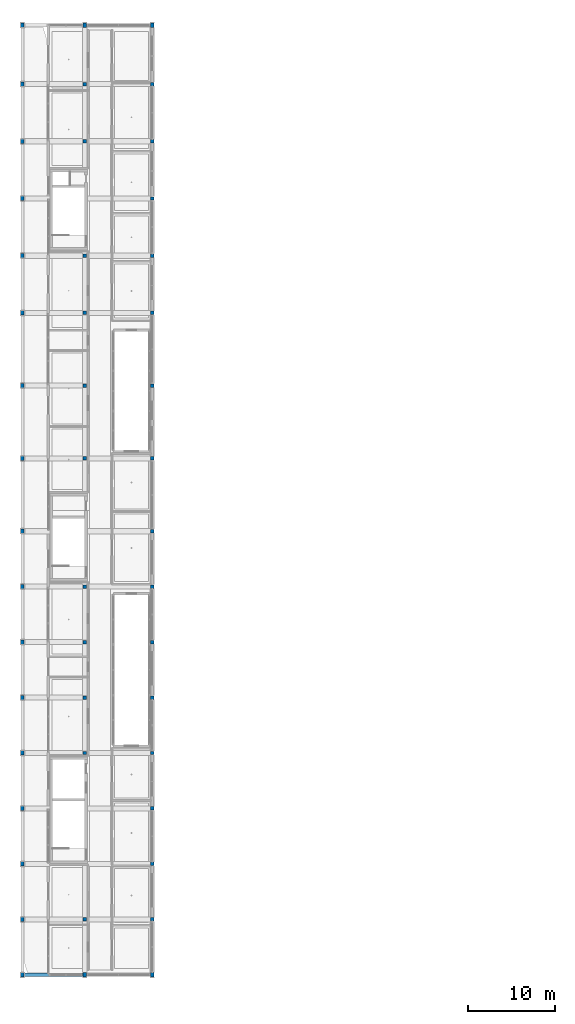
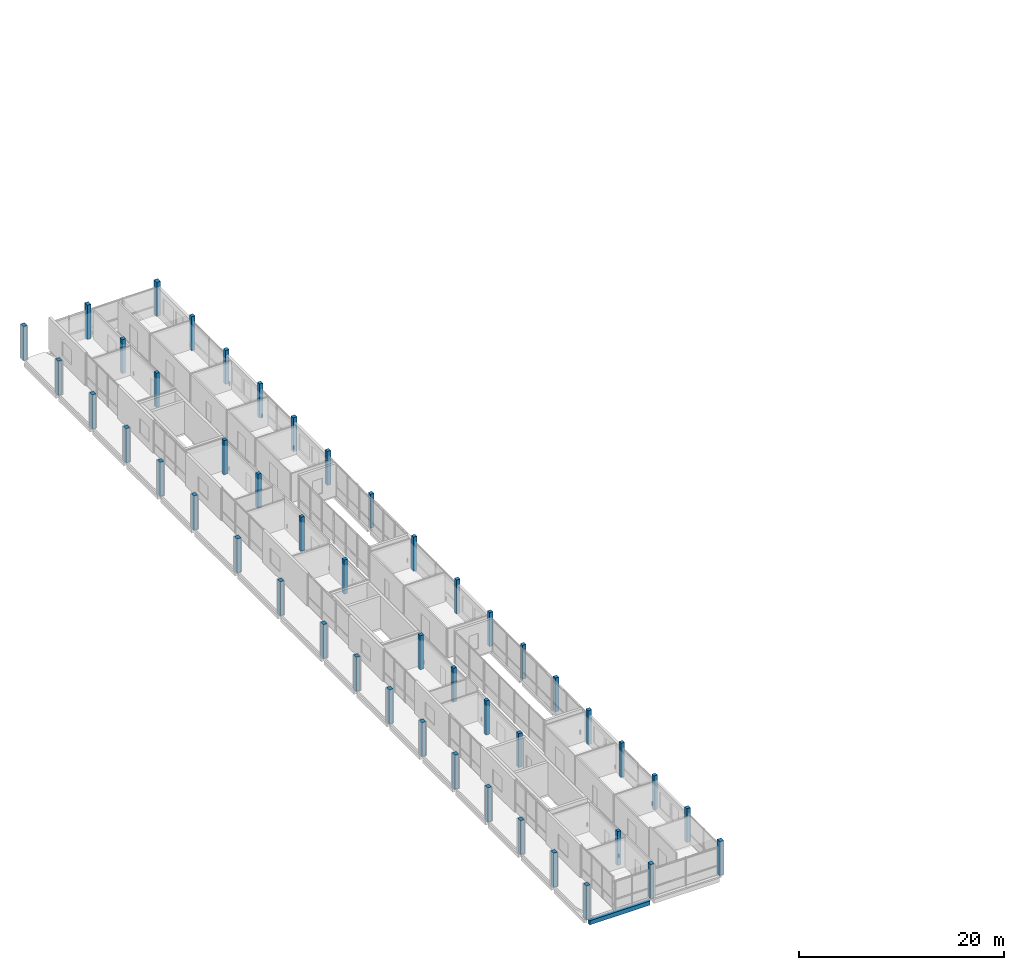
# One storey, part 1 of 24: 47 columns, 1 beam.
"""IFC4 building model written with IfcOpenShell, lengths in metres."""

from ifc_helpers import new_model, si_unit, derived_unit, direction, frame, origin, origin_2d, place, context, subcontext, project, spatial, rectangle, extrude, material, material_profile, profile_set, type_object, element, save


model = new_model("IFC4")

# Units and contexts
model_context = context("Model", 3, precision=1e-05, world=origin(), true_north=direction((0.0, 1.0)))
body_context = subcontext(model_context, "Body", "Model", "MODEL_VIEW")
ifc_project = project(units=[si_unit("LENGTHUNIT", "METRE"), si_unit("AREAUNIT", "SQUARE_METRE"), si_unit("VOLUMEUNIT", "CUBIC_METRE"), si_unit("PLANEANGLEUNIT", "RADIAN"), si_unit("MASSUNIT", "GRAM", prefix="KILO"), derived_unit("THERMALTRANSMITTANCEUNIT", [(si_unit("POWERUNIT", "WATT"), 1), (si_unit("LENGTHUNIT", "METRE"), -2), (si_unit("THERMODYNAMICTEMPERATUREUNIT", "KELVIN"), -1)])], contexts=[model_context])

# Site, building, storey
site_placement = place(None, origin())
site = spatial("IfcSite", under=ifc_project, at=site_placement, CompositionType="ELEMENT")
building_placement = place(site_placement, origin())
building = spatial("IfcBuilding", under=site, at=building_placement, Name="Braskholm Square Health Centre", CompositionType="ELEMENT")
storey_placement = place(building_placement, frame((0.0, 0.0, 21.60009765625)))
storey = spatial("IfcBuildingStorey", under=building, at=storey_placement, Name="L06", CompositionType="ELEMENT", Elevation=21.60009765625)

# Columns
ifc_material_1 = material(Name="Concrete C40/50 (f'c = 40 MPa)", Category="concrete")
ifc_material_profile_1 = material_profile(ifc_material_1, rectangle(XDim=0.39990234375, YDim=0.39990234375, at=origin_2d()), Name="RC-400X400")
ifc_profile_set_1 = profile_set([ifc_material_profile_1], Name="Concrete C40/50 (f'c = 40 MPa)")
column_type_1 = type_object("IfcColumnType", Name="ColInteriorCrown400", PredefinedType="COLUMN", material=ifc_profile_set_1)
for number, where, z_axis, x_axis, name in (
    (1, (11.39990234375, 10.60009765625, 0.0), (0.0, 0.0, 1.0), (1.0, 0.0, 0.0), "Column 2/B L06"),
    (2, (11.39990234375, 29.800048828125, 0.0), (0.0, 0.0, 1.0), (1.0, 0.0, 0.0), "Column 2/E L06"),
    (3, (11.39990234375, 36.199951171875, 0.0), (0.0, 0.0, 1.0), (1.0, 0.0, 0.0), "Column 2/F L06"),
    (4, (11.39990234375, 42.60009765625, 0.0), (0.0, 0.0, 1.0), (1.0, 0.0, 0.0), "Column 2/G L06"),
    (5, (11.39990234375, 49.0, 0.0), (0.0, 0.0, 1.0), (1.0, 0.0, 0.0), "Column 2/H L06"),
    (6, (11.39990234375, 63.800048828125, 0.0), (0.0, 0.0, 1.0), (1.0, 0.0, 0.0), "Column 2/K L06"),
    (7, (11.39990234375, 72.199951171875, 0.0), (0.0, 0.0, 1.0), (1.0, 0.0, 0.0), "Column 2/L L06"),
    (8, (11.39990234375, 80.60009765625, 0.0), (0.0, 0.0, 1.0), (1.0, 0.0, 0.0), "Column 2/M L06"),
    (9, (11.39990234375, 87.199951171875, 0.0), (0.0, 0.0, 1.0), (1.0, 0.0, 0.0), "Column 2/N L06"),
    (10, (11.39990234375, 100.39990234375, 0.0), (0.0, 0.0, 1.0), (1.0, 0.0, 0.0), "Column 2/Q L06"),
    (11, (11.39990234375, 107.0, 0.0), (0.0, 0.0, 1.0), (1.0, 0.0, 0.0), "Column 2/R L06"),
    (12, (19.199951171875, 10.60009765625, 0.0), (0.0, 0.0, 1.0), (1.0, 0.0, 0.0), "Column 3/B L06"),
    (13, (19.199951171875, 17.0, 0.0), (0.0, 0.0, 1.0), (1.0, 0.0, 0.0), "Column 3/C L06"),
    (14, (19.199951171875, 23.39990234375, 0.0), (0.0, 0.0, 1.0), (1.0, 0.0, 0.0), "Column 3/D L06"),
    (15, (19.199951171875, 29.800048828125, 0.0), (0.0, 0.0, 1.0), (1.0, 0.0, 0.0), "Column 3/E L06"),
    (16, (19.199951171875, 36.199951171875, 0.0), (0.0, 0.0, 1.0), (1.0, 0.0, 0.0), "Column 3/F L06"),
    (17, (19.199951171875, 42.60009765625, 0.0), (0.0, 0.0, 1.0), (1.0, 0.0, 0.0), "Column 3/G L06"),
    (18, (19.199951171875, 49.0, 0.0), (0.0, 0.0, 1.0), (1.0, 0.0, 0.0), "Column 3/H L06"),
    (19, (19.199951171875, 55.39990234375, 0.0), (0.0, 0.0, 1.0), (1.0, 0.0, 0.0), "Column 3/J L06"),
    (20, (19.199951171875, 63.800048828125, 0.0), (0.0, 0.0, 1.0), (1.0, 0.0, 0.0), "Column 3/K L06"),
    (21, (19.199951171875, 72.199951171875, 0.0), (0.0, 0.0, 1.0), (1.0, 0.0, 0.0), "Column 3/L L06"),
    (22, (19.199951171875, 80.60009765625, 0.0), (0.0, 0.0, 1.0), (1.0, 0.0, 0.0), "Column 3/M L06"),
    (23, (19.199951171875, 87.199951171875, 0.0), (0.0, 0.0, 1.0), (1.0, 0.0, 0.0), "Column 3/N L06"),
    (24, (19.199951171875, 93.800048828125, 0.0), (0.0, 0.0, 1.0), (1.0, 0.0, 0.0), "Column 3/P L06"),
    (25, (19.199951171875, 100.39990234375, 0.0), (0.0, 0.0, 1.0), (1.0, 0.0, 0.0), "Column 3/Q L06"),
    (26, (19.199951171875, 107.0, 0.0), (0.0, 0.0, 1.0), (1.0, 0.0, 0.0), "Column 3/R L06"),
):
    element("IfcColumn", number, at=place(storey_placement, frame(where, z_axis=z_axis, x_axis=x_axis)), inside=storey, type_object=column_type_1, Name=name, PredefinedType="COLUMN", context=body_context, shape_type="SweptSolid", body=[
        extrude(rectangle(XDim=0.39990234375, YDim=0.39990234375, at=origin_2d()), origin(), (0.0, 0.0, 1.0), 4.0498046875),
    ])
ifc_material_2 = material(Name="Precast concrete C40/50 architectural white", Category="concrete")
ifc_material_profile_2 = material_profile(ifc_material_2, rectangle(XDim=0.419921875, YDim=0.52001953125, at=origin_2d()), Name="RC-420X520")
ifc_profile_set_2 = profile_set([ifc_material_profile_2], Name="Precast concrete C40/50 architectural white")
column_type_2 = type_object("IfcColumnType", Name="ColPrecastFrame420x520", PredefinedType="COLUMN", material=ifc_profile_set_2)
for number, where, z_axis, x_axis, name in (
    (27, (4.199951171875, 4.199951171875, 0.0), (0.0, 0.0, 1.0), (1.0, 0.0, 0.0), "Column 1/A L06"),
    (28, (4.199951171875, 10.60009765625, 0.0), (0.0, 0.0, 1.0), (1.0, 0.0, 0.0), "Column 1/B L06"),
    (29, (4.199951171875, 17.0, 0.0), (0.0, 0.0, 1.0), (1.0, 0.0, 0.0), "Column 1/C L06"),
    (30, (4.199951171875, 23.39990234375, 0.0), (0.0, 0.0, 1.0), (1.0, 0.0, 0.0), "Column 1/D L06"),
    (31, (4.199951171875, 29.800048828125, 0.0), (0.0, 0.0, 1.0), (1.0, 0.0, 0.0), "Column 1/E L06"),
    (32, (4.199951171875, 36.199951171875, 0.0), (0.0, 0.0, 1.0), (1.0, 0.0, 0.0), "Column 1/F L06"),
    (33, (4.199951171875, 42.60009765625, 0.0), (0.0, 0.0, 1.0), (1.0, 0.0, 0.0), "Column 1/G L06"),
    (34, (4.199951171875, 49.0, 0.0), (0.0, 0.0, 1.0), (1.0, 0.0, 0.0), "Column 1/H L06"),
    (35, (4.199951171875, 55.39990234375, 0.0), (0.0, 0.0, 1.0), (1.0, 0.0, 0.0), "Column 1/J L06"),
    (36, (4.199951171875, 63.800048828125, 0.0), (0.0, 0.0, 1.0), (1.0, 0.0, 0.0), "Column 1/K L06"),
    (37, (4.199951171875, 72.199951171875, 0.0), (0.0, 0.0, 1.0), (1.0, 0.0, 0.0), "Column 1/L L06"),
    (38, (4.199951171875, 80.60009765625, 0.0), (0.0, 0.0, 1.0), (1.0, 0.0, 0.0), "Column 1/M L06"),
    (39, (4.199951171875, 87.199951171875, 0.0), (0.0, 0.0, 1.0), (1.0, 0.0, 0.0), "Column 1/N L06"),
    (40, (4.199951171875, 93.800048828125, 0.0), (0.0, 0.0, 1.0), (1.0, 0.0, 0.0), "Column 1/P L06"),
    (41, (4.199951171875, 100.39990234375, 0.0), (0.0, 0.0, 1.0), (1.0, 0.0, 0.0), "Column 1/Q L06"),
    (42, (4.199951171875, 107.0, 0.0), (0.0, 0.0, 1.0), (1.0, 0.0, 0.0), "Column 1/R L06"),
    (43, (4.199951171875, 113.800048828125, 0.0), (0.0, 0.0, 1.0), (1.0, 0.0, 0.0), "Column 1/S L06"),
    (44, (11.39990234375, 4.199951171875, 0.0), (0.0, 0.0, 1.0), (1.0, 0.0, 0.0), "Column 2/A L06"),
    (45, (11.39990234375, 113.800048828125, 0.0), (0.0, 0.0, 1.0), (1.0, 0.0, 0.0), "Column 2/S L06"),
    (46, (19.199951171875, 4.199951171875, 0.0), (0.0, 0.0, 1.0), (1.0, 0.0, 0.0), "Column 3/A L06"),
    (47, (19.199951171875, 113.800048828125, 0.0), (0.0, 0.0, 1.0), (1.0, 0.0, 0.0), "Column 3/S L06"),
):
    element("IfcColumn", number, at=place(storey_placement, frame(where, z_axis=z_axis, x_axis=x_axis)), inside=storey, type_object=column_type_2, Name=name, PredefinedType="COLUMN", context=body_context, shape_type="SweptSolid", body=[
        extrude(rectangle(XDim=0.419921875, YDim=0.52001953125, at=origin_2d()), origin(), (0.0, 0.0, 1.0), 4.0498046875),
    ])

# Beam
ifc_material_profile_3 = material_profile(ifc_material_2, rectangle(XDim=0.3798828125, YDim=0.5, at=origin_2d()), Name="RCB-380X500")
ifc_profile_set_3 = profile_set([ifc_material_profile_3], Name="Precast concrete C40/50 architectural white")
beam_type = type_object("IfcBeamType", Name="SpandrelPrecastEdge380x500", PredefinedType="SPANDREL", material=ifc_profile_set_3)
beam_placement = place(storey_placement, frame((4.409912109375, 4.199951171875, -0.530029296875), z_axis=(1.0, 0.0, 0.0), x_axis=(0.0, 1.0, 0.0)))
element("IfcBeam", 48, at=beam_placement, inside=storey, type_object=beam_type, Name="Beam 1-2/A L06", PredefinedType="SPANDREL", context=body_context, shape_type="SweptSolid", body=[
    extrude(rectangle(XDim=0.3798828125, YDim=0.5, at=origin_2d()), origin(), (0.0, 0.0, 1.0), 6.780029296875),
])

save(model, "model.ifc")
